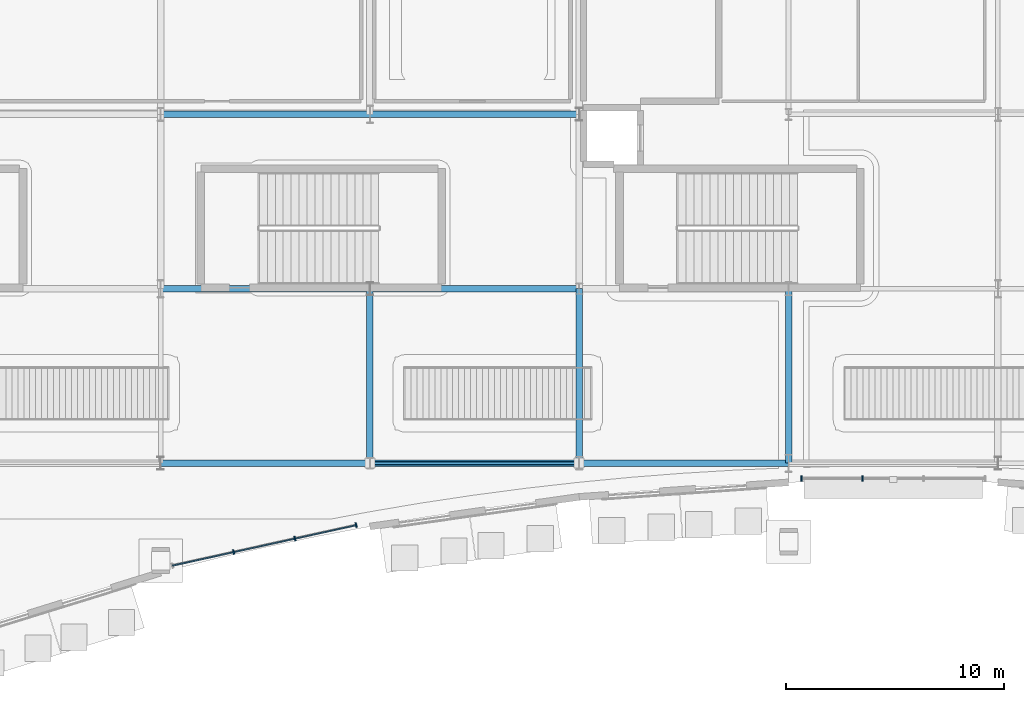
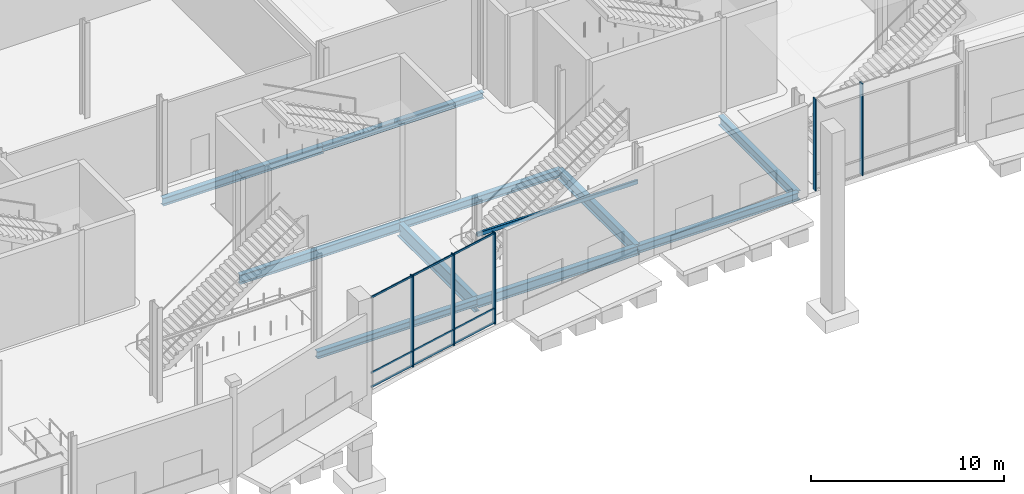
# One storey, part 35 of 124: 11 beams, 8 members, 2 elements without a shape of their own.
"""IFC4 building model written with IfcOpenShell, lengths in metres."""

from ifc_helpers import new_model, si_unit, direction, frame, origin, origin_2d, place, context, subcontext, project, spatial, rectangle, hollow_rectangle, i_section, extrude, material, material_profile, profile_set, type_object, element, aggregate, save


model = new_model("IFC4")

# Units and contexts
model_context = context("Model", 3, precision=1e-05, world=origin(), true_north=direction((0.0, 1.0)))
body_context = subcontext(model_context, "Body", "Model", "MODEL_VIEW")
ifc_project = project(units=[si_unit("LENGTHUNIT", "METRE"), si_unit("AREAUNIT", "SQUARE_METRE"), si_unit("VOLUMEUNIT", "CUBIC_METRE"), si_unit("PLANEANGLEUNIT", "RADIAN"), si_unit("MASSUNIT", "GRAM", prefix="KILO")], contexts=[model_context])

# Site, building, storey
site_placement = place(None, origin())
site = spatial("IfcSite", under=ifc_project, at=site_placement, CompositionType="ELEMENT")
building_placement = place(site_placement, origin())
building = spatial("IfcBuilding", under=site, at=building_placement, Name="Danafjord Basin Convention Centre", CompositionType="ELEMENT")
storey_placement = place(building_placement, origin())
storey = spatial("IfcBuildingStorey", under=building, at=storey_placement, Name="L00", CompositionType="ELEMENT", Elevation=0.0)

# Beams
ifc_material_1 = material(Name="Steel S355", Category="steel")
ifc_material_profile_1 = material_profile(ifc_material_1, i_section(OverallWidth=0.300048828125, OverallDepth=0.389892578125, WebThickness=0.010986328125, FlangeThickness=0.01904296875, FilletRadius=0.027099609375, at=origin_2d()), Name="HEA 400")
ifc_profile_set_1 = profile_set([ifc_material_profile_1], Name="Steel S355")
beam_type_1 = type_object("IfcBeamType", Name="BEAM-BM-HEA400", PredefinedType="BEAM", material=ifc_profile_set_1)
beam_1_placement = place(storey_placement, frame((38.39990234375, 24.0, -0.5048828125), z_axis=(1.0, 0.0, 0.0), x_axis=(0.0, 1.0, 0.0)))
element("IfcBeam", 1, at=beam_1_placement, inside=storey, type_object=beam_type_1, Name="L00 girder BM-HEA400", PredefinedType="BEAM", context=body_context, shape_type="SweptSolid", body=[
    extrude(i_section(OverallWidth=0.300048828125, OverallDepth=0.389892578125, WebThickness=0.010986328125, FlangeThickness=0.01904296875, FilletRadius=0.027099609375, at=origin_2d()), origin(), (0.0, 0.0, 1.0), 9.60009765625),
])
ifc_material_profile_2 = material_profile(ifc_material_1, i_section(OverallWidth=0.300048828125, OverallDepth=0.489990234375, WebThickness=0.011962890625, FlangeThickness=0.02294921875, FilletRadius=0.027099609375, at=origin_2d()), Name="HEA 500")
ifc_profile_set_2 = profile_set([ifc_material_profile_2], Name="Steel S355")
beam_type_2 = type_object("IfcBeamType", Name="BEAM-BM-HEA500", PredefinedType="BEAM", material=ifc_profile_set_2)
beam_2_placement = place(storey_placement, frame((28.800048828125, 24.0, -0.554931640625), z_axis=(1.0, 0.0, 0.0), x_axis=(0.0, 1.0, 0.0)))
element("IfcBeam", 2, at=beam_2_placement, inside=storey, type_object=beam_type_2, Name="L00 girder BM-HEA500", PredefinedType="BEAM", context=body_context, shape_type="SweptSolid", body=[
    extrude(i_section(OverallWidth=0.300048828125, OverallDepth=0.489990234375, WebThickness=0.011962890625, FlangeThickness=0.02294921875, FilletRadius=0.027099609375, at=origin_2d()), origin(), (0.0, 0.0, 1.0), 9.599853515625),
])
for number, where, z_axis, x_axis, name in (
    (3, (38.39990234375, 16.0, -0.554931640625), (1.0, 0.0, 0.0), (0.0, 1.0, 0.0), "L00 girder BM-HEA500"),
    (4, (48.0, 8.0, -0.554931640625), (1.0, 0.0, 0.0), (0.0, 1.0, 0.0), "L00 girder BM-HEA500"),
):
    element("IfcBeam", number, at=place(storey_placement, frame(where, z_axis=z_axis, x_axis=x_axis)), inside=storey, type_object=beam_type_2, Name=name, PredefinedType="BEAM", context=body_context, shape_type="SweptSolid", body=[
        extrude(i_section(OverallWidth=0.300048828125, OverallDepth=0.489990234375, WebThickness=0.011962890625, FlangeThickness=0.02294921875, FilletRadius=0.027099609375, at=origin_2d()), origin(), (0.0, 0.0, 1.0), 9.60009765625),
    ])
ifc_material_profile_3 = material_profile(ifc_material_1, i_section(OverallWidth=0.300048828125, OverallDepth=0.590087890625, WebThickness=0.012939453125, FlangeThickness=0.02490234375, FilletRadius=0.027099609375, at=origin_2d()), Name="HEA 600")
ifc_profile_set_3 = profile_set([ifc_material_profile_3], Name="Steel S355")
beam_type_3 = type_object("IfcBeamType", Name="BEAM-BM-HEA600", PredefinedType="BEAM", material=ifc_profile_set_3)
beam_3_placement = place(storey_placement, frame((28.800048828125, 16.0, -0.60498046875), z_axis=(1.0, 0.0, 0.0), x_axis=(0.0, 1.0, 0.0)))
element("IfcBeam", 5, at=beam_3_placement, inside=storey, type_object=beam_type_3, Name="L00 girder BM-HEA600", PredefinedType="BEAM", context=body_context, shape_type="SweptSolid", body=[
    extrude(i_section(OverallWidth=0.300048828125, OverallDepth=0.590087890625, WebThickness=0.012939453125, FlangeThickness=0.02490234375, FilletRadius=0.027099609375, at=origin_2d()), origin(), (0.0, 0.0, 1.0), 9.599853515625),
])
beam_4_placement = place(storey_placement, frame((38.39990234375, 8.0, -0.60498046875), z_axis=(1.0, 0.0, 0.0), x_axis=(0.0, 1.0, 0.0)))
element("IfcBeam", 6, at=beam_4_placement, inside=storey, type_object=beam_type_3, Name="L00 girder BM-HEA600", PredefinedType="BEAM", context=body_context, shape_type="SweptSolid", body=[
    extrude(i_section(OverallWidth=0.300048828125, OverallDepth=0.590087890625, WebThickness=0.012939453125, FlangeThickness=0.02490234375, FilletRadius=0.027099609375, at=origin_2d()), origin(), (0.0, 0.0, 1.0), 9.60009765625),
])
ifc_material_profile_4 = material_profile(ifc_material_1, i_section(OverallWidth=0.300048828125, OverallDepth=0.449951171875, WebThickness=0.013916015625, FlangeThickness=0.02587890625, FilletRadius=0.027099609375, at=origin_2d()), Name="HEB 450")
ifc_profile_set_4 = profile_set([ifc_material_profile_4], Name="Steel S355")
beam_type_4 = type_object("IfcBeamType", Name="BEAM-BM-HEB450", PredefinedType="BEAM", material=ifc_profile_set_4)
beam_5_placement = place(storey_placement, frame((28.800048828125, 8.0, -0.534912109375), z_axis=(1.0, 0.0, 0.0), x_axis=(0.0, 1.0, 0.0)))
element("IfcBeam", 7, at=beam_5_placement, inside=storey, type_object=beam_type_4, Name="L00 girder BM-HEB450", PredefinedType="BEAM", context=body_context, shape_type="SweptSolid", body=[
    extrude(i_section(OverallWidth=0.300048828125, OverallDepth=0.449951171875, WebThickness=0.013916015625, FlangeThickness=0.02587890625, FilletRadius=0.027099609375, at=origin_2d()), origin(), (0.0, 0.0, 1.0), 9.599853515625),
])
ifc_material_profile_5 = material_profile(ifc_material_1, i_section(OverallWidth=0.300048828125, OverallDepth=0.60009765625, WebThickness=0.015380859375, FlangeThickness=0.030029296875, FilletRadius=0.027099609375, at=origin_2d()), Name="HEB 600")
ifc_profile_set_5 = profile_set([ifc_material_profile_5], Name="Steel S355")
beam_type_5 = type_object("IfcBeamType", Name="BEAM-BM-HEB600", PredefinedType="BEAM", material=ifc_profile_set_5)
beam_6_placement = place(storey_placement, frame((57.60009765625, 8.0, -0.610107421875), z_axis=(0.0, 1.0, 0.0), x_axis=(-1.0, 0.0, 0.0)))
element("IfcBeam", 8, at=beam_6_placement, inside=storey, type_object=beam_type_5, Name="L00 transverse girder BM-HEB600", PredefinedType="BEAM", context=body_context, shape_type="SweptSolid", body=[
    extrude(i_section(OverallWidth=0.300048828125, OverallDepth=0.60009765625, WebThickness=0.015380859375, FlangeThickness=0.030029296875, FilletRadius=0.027099609375, at=origin_2d()), origin(), (0.0, 0.0, 1.0), 8.0),
])
ifc_material_profile_6 = material_profile(ifc_material_1, i_section(OverallWidth=0.300048828125, OverallDepth=0.699951171875, WebThickness=0.01708984375, FlangeThickness=0.031982421875, FilletRadius=0.027099609375, at=origin_2d()), Name="HEB 700")
ifc_profile_set_6 = profile_set([ifc_material_profile_6], Name="Steel S355")
beam_type_6 = type_object("IfcBeamType", Name="BEAM-BM-HEB700", PredefinedType="BEAM", material=ifc_profile_set_6)
beam_7_placement = place(storey_placement, frame((48.0, 8.0, -0.659912109375), z_axis=(0.0, 1.0, 0.0), x_axis=(-1.0, 0.0, 0.0)))
element("IfcBeam", 9, at=beam_7_placement, inside=storey, type_object=beam_type_6, Name="L00 transverse girder BM-HEB700", PredefinedType="BEAM", context=body_context, shape_type="SweptSolid", body=[
    extrude(i_section(OverallWidth=0.300048828125, OverallDepth=0.699951171875, WebThickness=0.01708984375, FlangeThickness=0.031982421875, FilletRadius=0.027099609375, at=origin_2d()), origin(), (0.0, 0.0, 1.0), 8.0),
])
ifc_material_profile_7 = material_profile(ifc_material_1, i_section(OverallWidth=0.300048828125, OverallDepth=0.89990234375, WebThickness=0.0185546875, FlangeThickness=0.034912109375, FilletRadius=0.030029296875, at=origin_2d()), Name="HEB 900")
ifc_profile_set_7 = profile_set([ifc_material_profile_7], Name="Steel S355")
beam_type_7 = type_object("IfcBeamType", Name="BEAM-BM-HEB900", PredefinedType="BEAM", material=ifc_profile_set_7)
beam_8_placement = place(storey_placement, frame((38.39990234375, 8.0, -0.760009765625), z_axis=(0.0, 1.0, 0.0), x_axis=(-1.0, 0.0, 0.0)))
element("IfcBeam", 10, at=beam_8_placement, inside=storey, type_object=beam_type_7, Name="L00 transverse girder BM-HEB900", PredefinedType="BEAM", context=body_context, shape_type="SweptSolid", body=[
    extrude(i_section(OverallWidth=0.300048828125, OverallDepth=0.89990234375, WebThickness=0.0185546875, FlangeThickness=0.034912109375, FilletRadius=0.030029296875, at=origin_2d()), origin(), (0.0, 0.0, 1.0), 8.0),
])
ifc_material_profile_8 = material_profile(ifc_material_1, hollow_rectangle(XDim=0.14990234375, YDim=0.25, WallThickness=0.010009765625, InnerFilletRadius=0.014892578125, OuterFilletRadius=0.02490234375, at=origin_2d()), Name="RHS 250x150x10.0")
ifc_profile_set_8 = profile_set([ifc_material_profile_8], Name="Steel S355")
beam_type_8 = type_object("IfcBeamType", Name="BEAM-LN-RHS250", PredefinedType="LINTEL", material=ifc_profile_set_8)
beam_9_placement = place(storey_placement, frame((38.39990234375, 8.0, 3.675048828125), z_axis=(1.0, 0.0, 0.0), x_axis=(0.0, 1.0, 0.0)))
element("IfcBeam", 11, at=beam_9_placement, inside=storey, type_object=beam_type_8, Name="L00 structural portal lintel LN-RHS250", PredefinedType="LINTEL", context=body_context, shape_type="SweptSolid", body=[
    extrude(hollow_rectangle(XDim=0.14990234375, YDim=0.25, WallThickness=0.010009765625, InnerFilletRadius=0.014892578125, OuterFilletRadius=0.02490234375, at=origin_2d()), origin(), (0.0, 0.0, 1.0), 9.60009765625),
])

# Curtain wall, members
ifc_material_2 = material(Name="Anodised aluminium and triple glazing", Category="aluminium")
curtain_wall_type = type_object("IfcCurtainWallType", Name="CW-CW-HARB", PredefinedType="NOTDEFINED", material=ifc_material_2)
curtain_wall_1_placement = place(storey_placement, origin())
curtain_wall_1 = element("IfcCurtainWall", 12, at=curtain_wall_1_placement, inside=storey, type_object=curtain_wall_type, Name="L00 CW-HARB unitised curtain wall bay 12", PredefinedType="NOTDEFINED")
ifc_material_3 = material(Name="Anodised aluminium EN AW-6060", Category="aluminium")
ifc_material_profile_9 = material_profile(ifc_material_3, rectangle(XDim=0.06494140625, YDim=0.219970703125, at=origin_2d()), Name="MULL 65x220")
ifc_profile_set_9 = profile_set([ifc_material_profile_9], Name="Anodised aluminium EN AW-6060")
member_type_1 = type_object("IfcMemberType", Name="MEM-ML-220", PredefinedType="MULLION", material=ifc_profile_set_9)
member_1_placement = place(storey_placement, frame((32.15283203125, 3.920654296875, -0.02490234375), z_axis=(0.0, 0.0, 1.0), x_axis=(0.976623114167, 0.214958816695, 0.0)))
member_1 = element("IfcMember", 13, at=member_1_placement, type_object=member_type_1, Name="CW-L00-012 mullion 2", PredefinedType="MULLION", context=body_context, shape_type="SweptSolid", body=[
    extrude(rectangle(XDim=0.06494140625, YDim=0.219970703125, at=origin_2d()), origin(), (0.0, 0.0, 1.0), 5.804931640625),
])
member_2_placement = place(storey_placement, frame((34.962158203125, 4.5390625, -0.02490234375), z_axis=(0.0, 0.0, 1.0), x_axis=(0.976623114167, 0.214958816695, 0.0)))
member_2 = element("IfcMember", 14, at=member_2_placement, type_object=member_type_1, Name="CW-L00-012 mullion 3", PredefinedType="MULLION", context=body_context, shape_type="SweptSolid", body=[
    extrude(rectangle(XDim=0.06494140625, YDim=0.219970703125, at=origin_2d()), origin(), (0.0, 0.0, 1.0), 5.804931640625),
])
member_3_placement = place(storey_placement, frame((37.771484375, 5.1572265625, -0.02490234375), z_axis=(0.0, 0.0, 1.0), x_axis=(0.976623114167, 0.214958816695, 0.0)))
member_3 = element("IfcMember", 15, at=member_3_placement, type_object=member_type_1, Name="CW-L00-012 mullion 4", PredefinedType="MULLION", context=body_context, shape_type="SweptSolid", body=[
    extrude(rectangle(XDim=0.06494140625, YDim=0.219970703125, at=origin_2d()), origin(), (0.0, 0.0, 1.0), 5.804931640625),
])

curtain_wall_2_placement = place(storey_placement, origin())
curtain_wall_2 = element("IfcCurtainWall", 16, at=curtain_wall_2_placement, inside=storey, type_object=curtain_wall_type, Name="L00 CW-HARB unitised curtain wall bay 13", PredefinedType="NOTDEFINED")
ifc_material_profile_10 = material_profile(ifc_material_3, rectangle(XDim=0.070068359375, YDim=0.260009765625, at=origin_2d()), Name="MULL 70x260")
ifc_profile_set_10 = profile_set([ifc_material_profile_10], Name="Anodised aluminium EN AW-6060")
member_type_2 = type_object("IfcMemberType", Name="MEM-ML-260", PredefinedType="MULLION", material=ifc_profile_set_10)
member_4_placement = place(storey_placement, frame((58.199951171875, 7.300048828125, -0.02490234375), z_axis=(0.0, 0.0, 1.0), x_axis=(1.0, 0.0, 0.0)))
member_4 = element("IfcMember", 17, at=member_4_placement, type_object=member_type_2, Name="CW-L00-013 mullion 1", PredefinedType="MULLION", context=body_context, shape_type="SweptSolid", body=[
    extrude(rectangle(XDim=0.070068359375, YDim=0.260009765625, at=origin_2d()), origin(), (0.0, 0.0, 1.0), 5.804931640625),
])
member_5_placement = place(storey_placement, frame((61.0, 7.300048828125, -0.02490234375), z_axis=(0.0, 0.0, 1.0), x_axis=(1.0, 0.0, 0.0)))
member_5 = element("IfcMember", 18, at=member_5_placement, type_object=member_type_2, Name="CW-L00-013 mullion 2", PredefinedType="MULLION", context=body_context, shape_type="SweptSolid", body=[
    extrude(rectangle(XDim=0.070068359375, YDim=0.260009765625, at=origin_2d()), origin(), (0.0, 0.0, 1.0), 5.804931640625),
])
aggregate(curtain_wall_2, [member_4, member_5])

# Member
ifc_material_profile_11 = material_profile(ifc_material_3, rectangle(XDim=0.06005859375, YDim=0.110107421875, at=origin_2d()), Name="TRAN 60x110")
ifc_profile_set_11 = profile_set([ifc_material_profile_11], Name="Anodised aluminium EN AW-6060")
member_type_3 = type_object("IfcMemberType", Name="MEM-TR-110", PredefinedType="USERDEFINED", material=ifc_profile_set_11)
member_6_placement = place(storey_placement, frame((29.343505859375, 3.30224609375, 0.06005859375), z_axis=(0.976624396642, 0.214952989939, 0.0), x_axis=(-0.214952989939, 0.976624396642, 0.0)))
member_6 = element("IfcMember", 19, at=member_6_placement, type_object=member_type_3, Name="CW-L00-012 transom 1", ObjectType="TRANSOM", PredefinedType="USERDEFINED", context=body_context, shape_type="SweptSolid", body=[
    extrude(rectangle(XDim=0.06005859375, YDim=0.110107421875, at=origin_2d()), origin(), (0.0, 0.0, 1.0), 8.629638671875),
])

member_7_placement = place(storey_placement, frame((29.343505859375, 3.30224609375, 0.949951171875), z_axis=(0.976624396642, 0.214952989939, 0.0), x_axis=(-0.214952989939, 0.976624396642, 0.0)))
member_7 = element("IfcMember", 20, at=member_7_placement, type_object=member_type_3, Name="CW-L00-012 transom 2", ObjectType="TRANSOM", PredefinedType="USERDEFINED", context=body_context, shape_type="SweptSolid", body=[
    extrude(rectangle(XDim=0.06005859375, YDim=0.110107421875, at=origin_2d()), origin(), (0.0, 0.0, 1.0), 8.629638671875),
])

member_8_placement = place(storey_placement, frame((29.343505859375, 3.30224609375, 5.7099609375), z_axis=(0.976624396642, 0.214952989939, 0.0), x_axis=(-0.214952989939, 0.976624396642, 0.0)))
member_8 = element("IfcMember", 21, at=member_8_placement, type_object=member_type_3, Name="CW-L00-012 transom 3", ObjectType="TRANSOM", PredefinedType="USERDEFINED", context=body_context, shape_type="SweptSolid", body=[
    extrude(rectangle(XDim=0.06005859375, YDim=0.110107421875, at=origin_2d()), origin(), (0.0, 0.0, 1.0), 8.629638671875),
])

aggregate(curtain_wall_1, [member_1, member_2, member_3, member_6, member_7, member_8])

save(model, "model.ifc")
